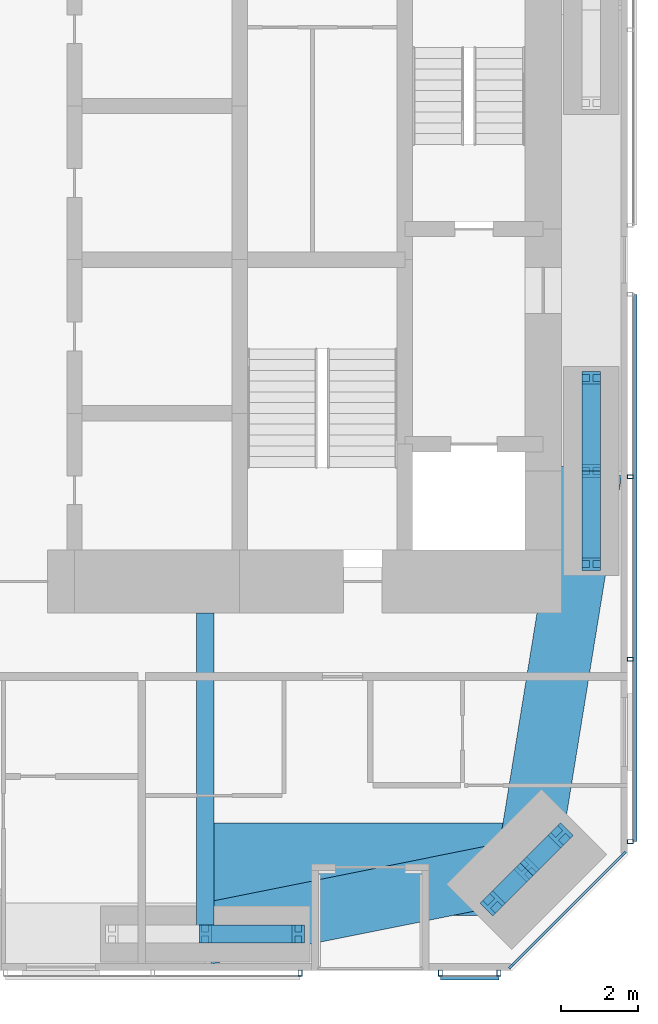
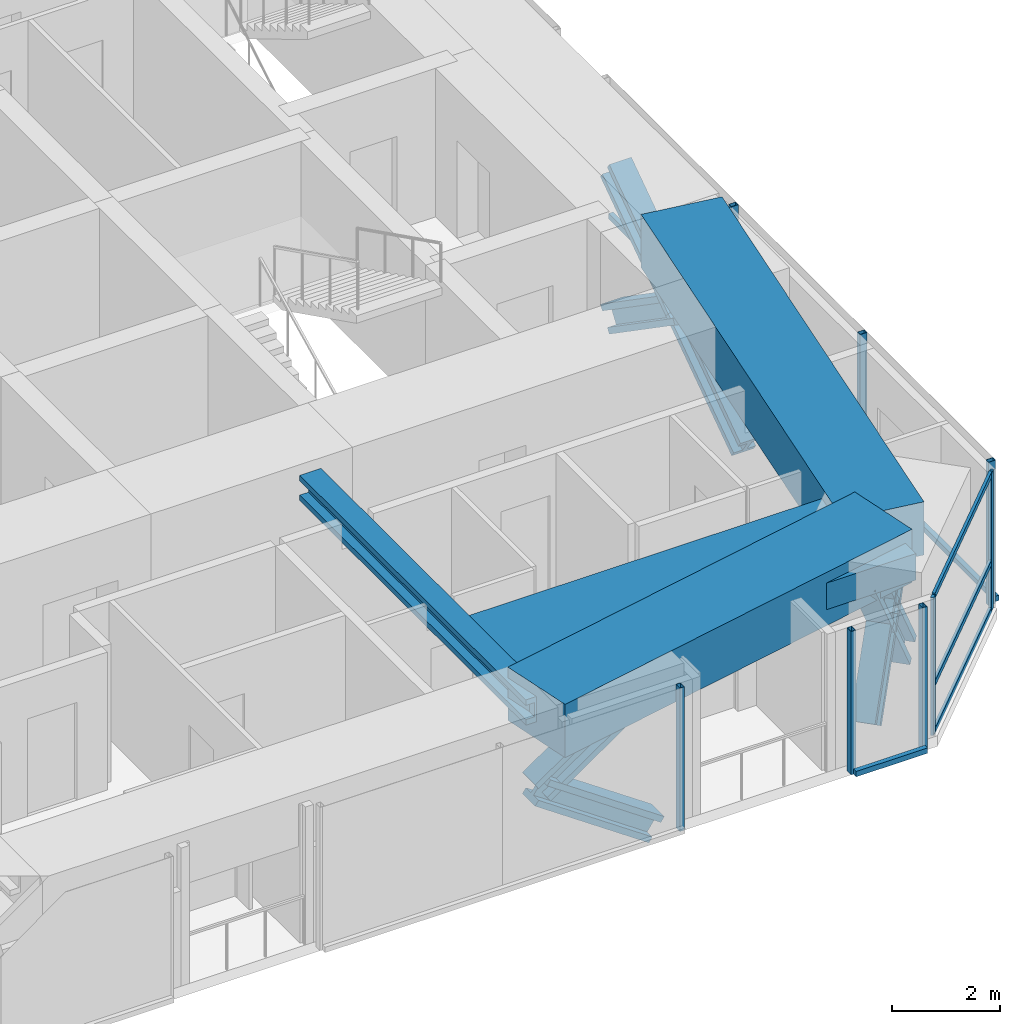
# One storey, part 8 of 23: 23 members, 4 beams, 4 elements without a shape of their own.
"""IFC4 building model written with IfcOpenShell, lengths in metres."""

from ifc_helpers import new_model, si_unit, direction, frame, origin, origin_2d, place, context, subcontext, project, spatial, rectangle, hollow_rectangle, i_section, extrude, material, material_profile, profile_set, type_object, element, aggregate, save


model = new_model("IFC4")

# Units and contexts
model_context = context("Model", 3, precision=1e-05, world=origin(), true_north=direction((0.0, 1.0)))
body_context = subcontext(model_context, "Body", "Model", "MODEL_VIEW")
ifc_project = project(units=[si_unit("LENGTHUNIT", "METRE"), si_unit("AREAUNIT", "SQUARE_METRE"), si_unit("VOLUMEUNIT", "CUBIC_METRE"), si_unit("PLANEANGLEUNIT", "RADIAN"), si_unit("MASSUNIT", "GRAM", prefix="KILO")], contexts=[model_context])

# Site, building, storey
site_placement = place(None, origin())
site = spatial("IfcSite", under=ifc_project, at=site_placement, CompositionType="ELEMENT")
building_placement = place(site_placement, origin())
building = spatial("IfcBuilding", under=site, at=building_placement, Name="Jalousie Tower", CompositionType="ELEMENT")
storey_placement = place(building_placement, frame((0.0, 0.0, 24.35009765625)))
storey = spatial("IfcBuildingStorey", under=building, at=storey_placement, Name="L05", CompositionType="ELEMENT", Elevation=24.35009765625)

# Curtain wall, members
ifc_material_1 = material(Name="Aluminium curtain wall", Category="aluminium")
curtain_wall_type_1 = type_object("IfcCurtainWallType", Name="CORNER WINDOW WALL", PredefinedType="USERDEFINED", material=ifc_material_1)
curtain_wall_1_placement = place(storey_placement, origin())
curtain_wall_1 = element("IfcCurtainWall", 1, at=curtain_wall_1_placement, inside=storey, type_object=curtain_wall_type_1, Name="Corner Window Wall L05 2", ObjectType="CORNER WINDOW WALL", PredefinedType="USERDEFINED")
ifc_material_2 = material(Name="Aluminium mullion", Category="aluminium")
ifc_material_profile_1 = material_profile(ifc_material_2, rectangle(XDim=0.06005859375, YDim=0.14990234375, at=origin_2d()), Name="MULLION 60x150")
ifc_profile_set_1 = profile_set([ifc_material_profile_1], Name="Aluminium mullion")
member_type_1 = type_object("IfcMemberType", Name="CORNER WINDOW WALL MULLION", PredefinedType="MULLION", material=ifc_profile_set_1)
member_1_placement = place(storey_placement, frame((42.969970703125, 0.108642578125, 0.0), z_axis=(0.0, 0.0, 1.0), x_axis=(-0.707106781187, 0.707106781187, 0.0)))
member_1 = element("IfcMember", 2, at=member_1_placement, type_object=member_type_1, Name="CW-C mullion 1", PredefinedType="MULLION", context=body_context, shape_type="SweptSolid", body=[
    extrude(rectangle(XDim=0.06005859375, YDim=0.14990234375, at=origin_2d()), origin(), (0.0, 0.0, 1.0), 3.10986328125),
])
member_2_placement = place(storey_placement, frame((45.891357421875, 3.030029296875, 0.0), z_axis=(0.0, 0.0, 1.0), x_axis=(-0.707106781187, 0.707106781187, 0.0)))
member_2 = element("IfcMember", 3, at=member_2_placement, type_object=member_type_1, Name="CW-C mullion 2", PredefinedType="MULLION", context=body_context, shape_type="SweptSolid", body=[
    extrude(rectangle(XDim=0.06005859375, YDim=0.14990234375, at=origin_2d()), origin(), (0.0, 0.0, 1.0), 3.10986328125),
])
ifc_material_3 = material(Name="Aluminium transom", Category="aluminium")
ifc_material_profile_2 = material_profile(ifc_material_3, rectangle(XDim=0.06005859375, YDim=0.1201171875, at=origin_2d()), Name="TRANSOM 60x120")
ifc_profile_set_2 = profile_set([ifc_material_profile_2], Name="Aluminium transom")
member_type_2 = type_object("IfcMemberType", Name="CORNER WINDOW WALL TRANSOM", PredefinedType="USERDEFINED", material=ifc_profile_set_2)
member_3_placement = place(storey_placement, frame((42.9912109375, 0.1298828125, 0.02978515625), z_axis=(0.707106781187, 0.707106781187, 0.0), x_axis=(-0.707106781187, 0.707106781187, 0.0)))
member_3 = element("IfcMember", 4, at=member_3_placement, type_object=member_type_2, Name="CW-C transom 1.1", ObjectType="TRANSOM", PredefinedType="USERDEFINED", context=body_context, shape_type="SweptSolid", body=[
    extrude(rectangle(XDim=0.06005859375, YDim=0.1201171875, at=origin_2d()), origin(), (0.0, 0.0, 1.0), 4.0712890625),
])
member_4_placement = place(storey_placement, frame((42.9912109375, 0.1298828125, 1.099853515625), z_axis=(0.707106781187, 0.707106781187, 0.0), x_axis=(-0.707106781187, 0.707106781187, 0.0)))
member_4 = element("IfcMember", 5, at=member_4_placement, type_object=member_type_2, Name="CW-C transom 1.2", ObjectType="TRANSOM", PredefinedType="USERDEFINED", context=body_context, shape_type="SweptSolid", body=[
    extrude(rectangle(XDim=0.06005859375, YDim=0.1201171875, at=origin_2d()), origin(), (0.0, 0.0, 1.0), 4.0712890625),
])
member_5_placement = place(storey_placement, frame((42.9912109375, 0.1298828125, 3.079833984375), z_axis=(0.707106781187, 0.707106781187, 0.0), x_axis=(-0.707106781187, 0.707106781187, 0.0)))
member_5 = element("IfcMember", 6, at=member_5_placement, type_object=member_type_2, Name="CW-C transom 1.3", ObjectType="TRANSOM", PredefinedType="USERDEFINED", context=body_context, shape_type="SweptSolid", body=[
    extrude(rectangle(XDim=0.06005859375, YDim=0.1201171875, at=origin_2d()), origin(), (0.0, 0.0, 1.0), 4.0712890625),
])
aggregate(curtain_wall_1, [member_1, member_2, member_3, member_4, member_5])

# Beam
ifc_material_4 = material(Name="Steel ASTM A992 Grade 50", Category="steel")
ifc_material_profile_3 = material_profile(ifc_material_4, i_section(OverallWidth=0.45458984375, OverallDepth=0.569091796875, WebThickness=0.077880859375, FlangeThickness=0.124755859375, at=origin_2d()), Name="W14X730")
ifc_profile_set_3 = profile_set([ifc_material_profile_3], Name="Steel ASTM A992 Grade 50")
beam_type_1 = type_object("IfcBeamType", Name="LEAN COLLECTOR W14X730", PredefinedType="BEAM", material=ifc_profile_set_3)
beam_1_placement = place(storey_placement, frame((35.0, 0.949951171875, 2.825439453125), z_axis=(0.0, 1.0, 0.0), x_axis=(-1.0, 0.0, 0.0)))
element("IfcBeam", 7, at=beam_1_placement, inside=storey, type_object=beam_type_1, Name="Lean collector under L06", PredefinedType="BEAM", context=body_context, shape_type="SweptSolid", body=[
    extrude(i_section(OverallWidth=0.45458984375, OverallDepth=0.569091796875, WebThickness=0.077880859375, FlangeThickness=0.124755859375, at=origin_2d()), origin(), (0.0, 0.0, 1.0), 8.35009765625),
])

# Members
ifc_material_5 = material(Name="Steel ASTM A992 Grade 50", Category="steel")
ifc_material_profile_4 = material_profile(ifc_material_5, i_section(OverallWidth=0.472412109375, OverallDepth=0.5791015625, WebThickness=0.094970703125, FlangeThickness=0.1298828125, at=origin_2d()), Name="W14X808")
ifc_profile_set_4 = profile_set([ifc_material_profile_4], Name="Steel ASTM A992 Grade 50")
member_type_3 = type_object("IfcMemberType", Name="PERIMETER BRACE W14X808", PredefinedType="BRACE", material=ifc_profile_set_4)
for number, where, z_axis, x_axis, name in (
    (8, (35.0, 0.949951171875, 1.074951171875), (0.822800062329, 0.0, 0.568330940062), (0.0, 1.0, 0.0), "Perimeter brace 04 L05 part 2"),
    (9, (37.425048828125, 0.949951171875, -0.60009765625), (-0.822800062329, 0.0, 0.568330940062), (0.0, -1.0, 0.0), "Perimeter brace 04 L05 part 3"),
):
    element("IfcMember", number, at=place(storey_placement, frame(where, z_axis=z_axis, x_axis=x_axis)), inside=storey, type_object=member_type_3, Name=name, PredefinedType="BRACE", context=body_context, shape_type="SweptSolid", body=[
        extrude(i_section(OverallWidth=0.472412109375, OverallDepth=0.5791015625, WebThickness=0.094970703125, FlangeThickness=0.1298828125, at=origin_2d()), origin(), (0.0, 0.0, 1.0), 2.947265625),
    ])
for number, where, z_axis, x_axis, name in (
    (10, (42.484619140625, 1.74755859375, -0.60009765625), (0.422968528423, 0.422851718556, 0.801432497518), (-0.70700912125, 0.707204427637, 0.0), "Perimeter brace 05 L05 part 1"),
    (11, (43.36865234375, 2.63134765625, 1.074951171875), (0.422851718556, 0.422968528423, 0.801432497518), (-0.707204427637, 0.70700912125, 0.0), "Perimeter brace 05 L05 part 2"),
    (12, (44.25244140625, 3.515380859375, -0.60009765625), (-0.422851718556, -0.422968528423, 0.801432497518), (0.707204427637, -0.70700912125, 0.0), "Perimeter brace 05 L05 part 3"),
    (13, (43.36865234375, 2.63134765625, 1.074951171875), (-0.422968528423, -0.422851718556, 0.801432497518), (0.70700912125, -0.707204427637, 0.0), "Perimeter brace 05 L05 part 4"),
):
    element("IfcMember", number, at=place(storey_placement, frame(where, z_axis=z_axis, x_axis=x_axis)), inside=storey, type_object=member_type_3, Name=name, PredefinedType="BRACE", context=body_context, shape_type="SweptSolid", body=[
        extrude(i_section(OverallWidth=0.472412109375, OverallDepth=0.5791015625, WebThickness=0.094970703125, FlangeThickness=0.1298828125, at=origin_2d()), origin(), (0.0, 0.0, 1.0), 2.090087890625),
    ])
for number, where, z_axis, x_axis, name in (
    (14, (45.050048828125, 10.574951171875, -0.60009765625), (0.0, 0.822800062329, 0.568330940062), (-1.0, 0.0, 0.0), "Perimeter brace 06 L05 part 1"),
    (15, (45.050048828125, 13.0, 1.074951171875), (0.0, 0.822800062329, 0.568330940062), (-1.0, 0.0, 0.0), "Perimeter brace 06 L05 part 2"),
    (16, (45.050048828125, 15.425048828125, -0.60009765625), (0.0, -0.822800062329, 0.568330940062), (1.0, 0.0, 0.0), "Perimeter brace 06 L05 part 3"),
    (17, (45.050048828125, 13.0, 1.074951171875), (0.0, -0.822800062329, 0.568330940062), (1.0, 0.0, 0.0), "Perimeter brace 06 L05 part 4"),
):
    element("IfcMember", number, at=place(storey_placement, frame(where, z_axis=z_axis, x_axis=x_axis)), inside=storey, type_object=member_type_3, Name=name, PredefinedType="BRACE", context=body_context, shape_type="SweptSolid", body=[
        extrude(i_section(OverallWidth=0.472412109375, OverallDepth=0.5791015625, WebThickness=0.094970703125, FlangeThickness=0.1298828125, at=origin_2d()), origin(), (0.0, 0.0, 1.0), 2.947265625),
    ])

# Beams
ifc_material_6 = material(Name="Concrete f'c 40 MPa", Category="concrete")
ifc_material_profile_5 = material_profile(ifc_material_6, rectangle(XDim=1.60009765625, YDim=1.199951171875, at=origin_2d()), Name="RC 1600x1200")
ifc_profile_set_5 = profile_set([ifc_material_profile_5], Name="Concrete f'c 40 MPa")
beam_type_2 = type_object("IfcBeamType", Name="RC BEAM 1600x1200", PredefinedType="BEAM", material=ifc_profile_set_5)
beam_2_placement = place(storey_placement, frame((35.0, 0.949951171875, 2.75), z_axis=(0.980407585444, 0.196979609107, 0.0), x_axis=(-0.196979609107, 0.980407585444, 0.0)))
element("IfcBeam", 18, at=beam_2_placement, inside=storey, type_object=beam_type_2, Name="Edge band beam 04-05 under L06", PredefinedType="BEAM", context=body_context, shape_type="SweptSolid", body=[
    extrude(rectangle(XDim=1.60009765625, YDim=1.199951171875, at=origin_2d()), origin(), (0.0, 0.0, 1.0), 8.535888671875),
])
beam_3_placement = place(storey_placement, frame((43.36865234375, 2.63134765625, 2.75), z_axis=(0.160070546476, 0.987105577003, 0.0), x_axis=(-0.987105577003, 0.160070546476, 0.0)))
element("IfcBeam", 19, at=beam_3_placement, inside=storey, type_object=beam_type_2, Name="Edge band beam 05-06 under L06", PredefinedType="BEAM", context=body_context, shape_type="SweptSolid", body=[
    extrude(rectangle(XDim=1.60009765625, YDim=1.199951171875, at=origin_2d()), origin(), (0.0, 0.0, 1.0), 10.504150390625),
])
ifc_material_7 = material(Name="Concrete f'c 40 MPa", Category="concrete")
ifc_material_profile_6 = material_profile(ifc_material_7, rectangle(XDim=2.39990234375, YDim=0.60009765625, at=origin_2d()), Name="RC 2400x600")
ifc_profile_set_6 = profile_set([ifc_material_profile_6], Name="Concrete f'c 40 MPa")
beam_type_3 = type_object("IfcBeamType", Name="RC BEAM 2400x600", PredefinedType="BEAM", material=ifc_profile_set_6)
beam_4_placement = place(storey_placement, frame((43.36865234375, 2.63134765625, 2.809814453125), z_axis=(-1.0, 0.0, 0.0), x_axis=(0.0, -1.0, 0.0)))
element("IfcBeam", 20, at=beam_4_placement, inside=storey, type_object=beam_type_3, Name="Floor band beam under L06", PredefinedType="BEAM", context=body_context, shape_type="SweptSolid", body=[
    extrude(rectangle(XDim=2.39990234375, YDim=0.60009765625, at=origin_2d()), origin(), (0.0, 0.0, 1.0), 8.36865234375),
])

# Curtain wall, member
ifc_material_8 = material(Name="Perforated aluminium sheet", Category="aluminium")
curtain_wall_type_2 = type_object("IfcCurtainWallType", Name="SOLAR SCREEN SS-1", PredefinedType="USERDEFINED", material=ifc_material_8)
curtain_wall_2_placement = place(storey_placement, origin())
curtain_wall_2 = element("IfcCurtainWall", 21, at=curtain_wall_2_placement, inside=storey, type_object=curtain_wall_type_2, Name="Solar screen L05", ObjectType="SOLAR SCREEN SS-1", PredefinedType="USERDEFINED")
ifc_material_9 = material(Name="Steel ASTM A500 Grade C", Category="steel")
ifc_material_profile_7 = material_profile(ifc_material_9, hollow_rectangle(XDim=0.1015625, YDim=0.15234375, WallThickness=0.00634765625, at=origin_2d()), Name="HSS6X4X1/4")
ifc_profile_set_7 = profile_set([ifc_material_profile_7], Name="Steel ASTM A500 Grade C")
member_type_4 = type_object("IfcMemberType", Name="SOLAR SCREEN SS-1 MULLION", PredefinedType="MULLION", material=ifc_profile_set_7)
member_6_placement = place(storey_placement, frame((37.47509765625, -0.0712890625, -0.1201171875), z_axis=(0.0, 0.0, 1.0), x_axis=(1.0, 0.0, 0.0)))
member_6 = element("IfcMember", 22, at=member_6_placement, type_object=member_type_4, Name="SS1 post 3", PredefinedType="MULLION", context=body_context, shape_type="SweptSolid", body=[
    extrude(hollow_rectangle(XDim=0.1015625, YDim=0.15234375, WallThickness=0.00634765625, at=origin_2d()), origin(), (0.0, 0.0, 1.0), 3.22998046875),
])
aggregate(curtain_wall_2, [member_6])

# Curtain wall, members
curtain_wall_3_placement = place(storey_placement, origin())
curtain_wall_3 = element("IfcCurtainWall", 23, at=curtain_wall_3_placement, inside=storey, type_object=curtain_wall_type_2, Name="Solar screen L05", ObjectType="SOLAR SCREEN SS-1", PredefinedType="USERDEFINED")
member_7_placement = place(storey_placement, frame((41.125, -0.0712890625, -0.1201171875), z_axis=(0.0, 0.0, 1.0), x_axis=(1.0, 0.0, 0.0)))
member_7 = element("IfcMember", 24, at=member_7_placement, type_object=member_type_4, Name="SS1 post 1", PredefinedType="MULLION", context=body_context, shape_type="SweptSolid", body=[
    extrude(hollow_rectangle(XDim=0.1015625, YDim=0.15234375, WallThickness=0.00634765625, at=origin_2d()), origin(), (0.0, 0.0, 1.0), 3.22998046875),
])
member_8_placement = place(storey_placement, frame((42.648681640625, -0.0712890625, -0.1201171875), z_axis=(0.0, 0.0, 1.0), x_axis=(1.0, 0.0, 0.0)))
member_8 = element("IfcMember", 25, at=member_8_placement, type_object=member_type_4, Name="SS1 post 2", PredefinedType="MULLION", context=body_context, shape_type="SweptSolid", body=[
    extrude(hollow_rectangle(XDim=0.1015625, YDim=0.15234375, WallThickness=0.00634765625, at=origin_2d()), origin(), (0.0, 0.0, 1.0), 3.22998046875),
])

curtain_wall_4_placement = place(storey_placement, origin())
curtain_wall_4 = element("IfcCurtainWall", 26, at=curtain_wall_4_placement, inside=storey, type_object=curtain_wall_type_2, Name="Solar screen L05", ObjectType="SOLAR SCREEN SS-1", PredefinedType="USERDEFINED")
member_9_placement = place(storey_placement, frame((46.0712890625, 3.351318359375, -0.1201171875), z_axis=(0.0, 0.0, 1.0), x_axis=(0.0, 1.0, 0.0)))
member_9 = element("IfcMember", 27, at=member_9_placement, type_object=member_type_4, Name="SS1 post 1", PredefinedType="MULLION", context=body_context, shape_type="SweptSolid", body=[
    extrude(hollow_rectangle(XDim=0.1015625, YDim=0.15234375, WallThickness=0.00634765625, at=origin_2d()), origin(), (0.0, 0.0, 1.0), 3.22998046875),
])
member_10_placement = place(storey_placement, frame((46.0712890625, 8.100830078125, -0.1201171875), z_axis=(0.0, 0.0, 1.0), x_axis=(0.0, 1.0, 0.0)))
member_10 = element("IfcMember", 28, at=member_10_placement, type_object=member_type_4, Name="SS1 post 2", PredefinedType="MULLION", context=body_context, shape_type="SweptSolid", body=[
    extrude(hollow_rectangle(XDim=0.1015625, YDim=0.15234375, WallThickness=0.00634765625, at=origin_2d()), origin(), (0.0, 0.0, 1.0), 3.22998046875),
])
member_11_placement = place(storey_placement, frame((46.0712890625, 12.850341796875, -0.1201171875), z_axis=(0.0, 0.0, 1.0), x_axis=(0.0, 1.0, 0.0)))
member_11 = element("IfcMember", 29, at=member_11_placement, type_object=member_type_4, Name="SS1 post 3", PredefinedType="MULLION", context=body_context, shape_type="SweptSolid", body=[
    extrude(hollow_rectangle(XDim=0.1015625, YDim=0.15234375, WallThickness=0.00634765625, at=origin_2d()), origin(), (0.0, 0.0, 1.0), 3.22998046875),
])

# Member
ifc_material_10 = material(Name="Extruded aluminium screen rail", Category="aluminium")
ifc_material_profile_8 = material_profile(ifc_material_10, rectangle(XDim=0.1015625, YDim=0.1201171875, at=origin_2d()), Name="RAIL 102x120")
ifc_profile_set_8 = profile_set([ifc_material_profile_8], Name="Extruded aluminium screen rail")
member_type_5 = type_object("IfcMemberType", Name="SOLAR SCREEN SS-1 TRANSOM", PredefinedType="USERDEFINED", material=ifc_profile_set_8)
member_12_placement = place(storey_placement, frame((41.125, -0.1982421875, -0.06005859375), z_axis=(1.0, 0.0, 0.0), x_axis=(0.0, 1.0, 0.0)))
member_12 = element("IfcMember", 30, at=member_12_placement, type_object=member_type_5, Name="SS1 rail", ObjectType="TRANSOM", PredefinedType="USERDEFINED", context=body_context, shape_type="SweptSolid", body=[
    extrude(rectangle(XDim=0.1015625, YDim=0.1201171875, at=origin_2d()), origin(), (0.0, 0.0, 1.0), 1.523681640625),
])

aggregate(curtain_wall_3, [member_7, member_8, member_12])

member_13_placement = place(storey_placement, frame((46.1982421875, 3.351318359375, -0.06005859375), z_axis=(0.0, 1.0, 0.0), x_axis=(-1.0, 0.0, 0.0)))
member_13 = element("IfcMember", 31, at=member_13_placement, type_object=member_type_5, Name="SS1 rail", ObjectType="TRANSOM", PredefinedType="USERDEFINED", context=body_context, shape_type="SweptSolid", body=[
    extrude(rectangle(XDim=0.1015625, YDim=0.1201171875, at=origin_2d()), origin(), (0.0, 0.0, 1.0), 14.248779296875),
])

aggregate(curtain_wall_4, [member_9, member_10, member_11, member_13])

save(model, "model.ifc")
